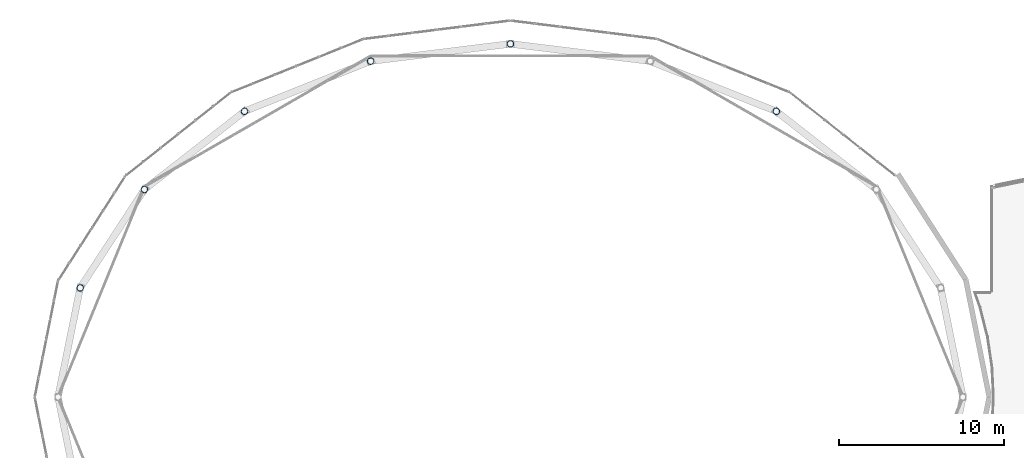
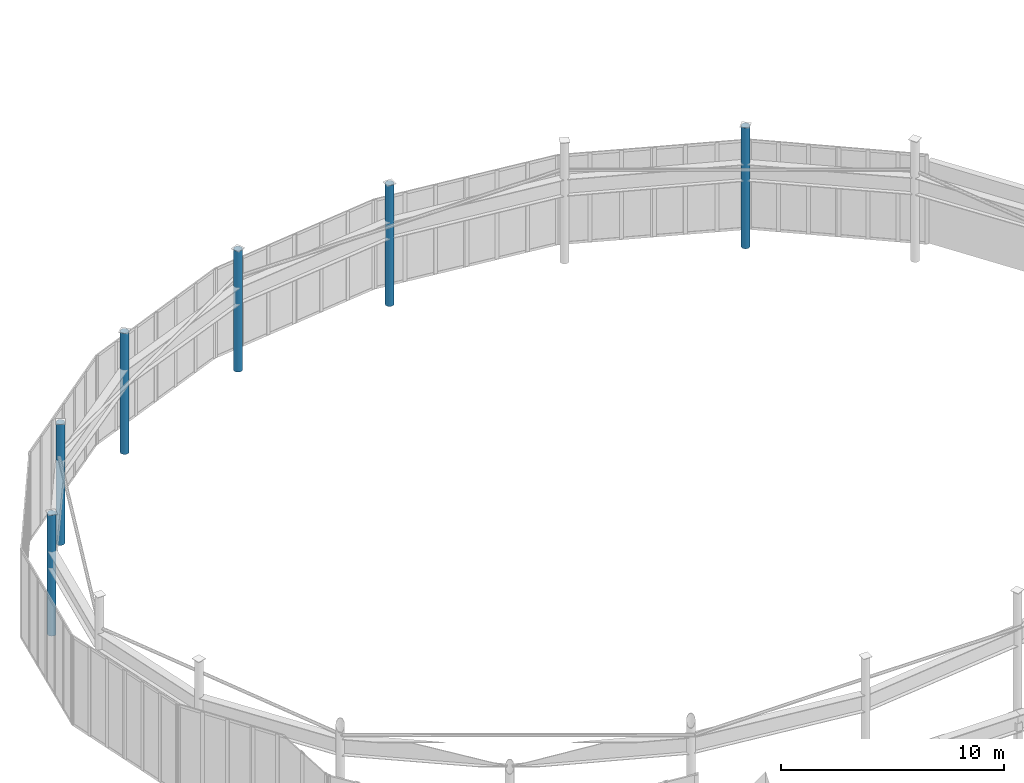
# One storey, part 9 of 91: 6 columns.
"""IFC4 building model written with IfcOpenShell, lengths in metres."""

from ifc_helpers import new_model, si_unit, direction, frame, origin, origin_2d, place, context, subcontext, project, spatial, hollow_circle, extrude, material, material_profile, profile_set, type_object, element, save


model = new_model("IFC4")

# Units and contexts
model_context = context("Model", 3, precision=1e-05, world=origin(), true_north=direction((0.0, 1.0)))
body_context = subcontext(model_context, "Body", "Model", "MODEL_VIEW")
ifc_project = project(units=[si_unit("LENGTHUNIT", "METRE"), si_unit("AREAUNIT", "SQUARE_METRE"), si_unit("VOLUMEUNIT", "CUBIC_METRE"), si_unit("PLANEANGLEUNIT", "RADIAN"), si_unit("MASSUNIT", "GRAM", prefix="KILO")], contexts=[model_context])

# Site, building, storey
site_placement = place(None, origin())
site = spatial("IfcSite", under=ifc_project, at=site_placement, CompositionType="ELEMENT")
building_placement = place(site_placement, origin())
building = spatial("IfcBuilding", under=site, at=building_placement, Name="Sollismere Congress Hotel", CompositionType="ELEMENT")
storey_placement = place(building_placement, frame((0.0, 0.0, 10.800048828125)))
storey = spatial("IfcBuildingStorey", under=building, at=storey_placement, Name="L02", CompositionType="ELEMENT", Elevation=10.800048828125)

# Columns
ifc_material = material(Name="Steel ASTM A500 Grade C", Category="steel")
ifc_material_profile = material_profile(ifc_material, hollow_circle(Radius=0.202880859375, WallThickness=0.01611328125, at=origin_2d()), Name="CHS406X16")
ifc_profile_set = profile_set([ifc_material_profile], Name="Steel ASTM A500 Grade C")
column_type = type_object("IfcColumnType", Name="COL-CHS406I", PredefinedType="COLUMN", material=ifc_profile_set)
for number, where, z_axis, x_axis, name in (
    (1, (45.075927734375, 107.672607421875, 0.0), (0.0, 0.0, 1.0), (0.681359873953, 0.731948578909, 0.0), "Column CL-L02-1162"),
    (2, (29.0, 111.75, 0.0), (0.0, 0.0, 1.0), (0.0, 1.0, 0.0), "Column CL-L02-1170"),
    (3, (20.54833984375, 110.705078125, 0.0), (0.0, 0.0, 1.0), (-0.38429532266, 0.923210217113, 0.0), "Column CL-L02-1174"),
    (4, (12.924072265625, 107.672607421875, 0.0), (0.0, 0.0, 1.0), (-0.681359873953, 0.731948578909, 0.0), "Column CL-L02-1178"),
    (5, (6.873291015625, 102.94921875, 0.0), (0.0, 0.0, 1.0), (-0.869839554062, 0.493334724289, 0.0), "Column CL-L02-1182"),
    (6, (2.988525390625, 96.99755859375, 0.0), (0.0, 0.0, 1.0), (-0.969316774365, 0.245814952628, 0.0), "Column CL-L02-1186"),
):
    element("IfcColumn", number, at=place(storey_placement, frame(where, z_axis=z_axis, x_axis=x_axis)), inside=storey, type_object=column_type, Name=name, PredefinedType="COLUMN", context=body_context, shape_type="SweptSolid", body=[
        extrude(hollow_circle(Radius=0.202880859375, WallThickness=0.01611328125, at=origin_2d()), origin(), (0.0, 0.0, 1.0), 6.619873046875),
    ])

save(model, "model.ifc")
